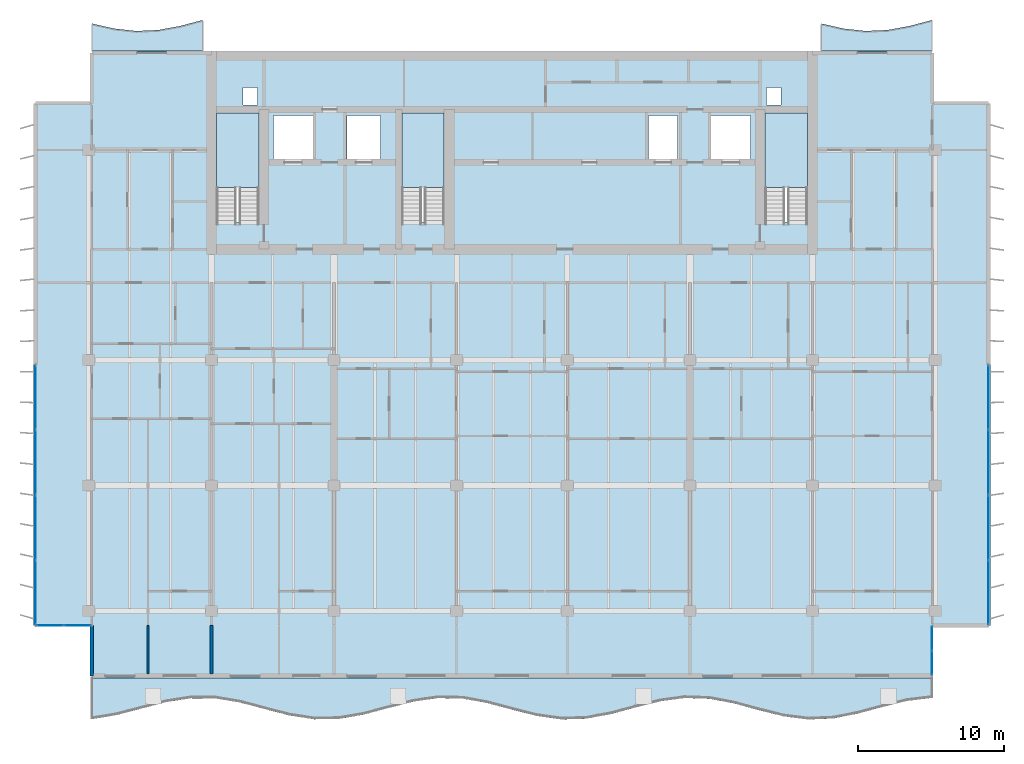
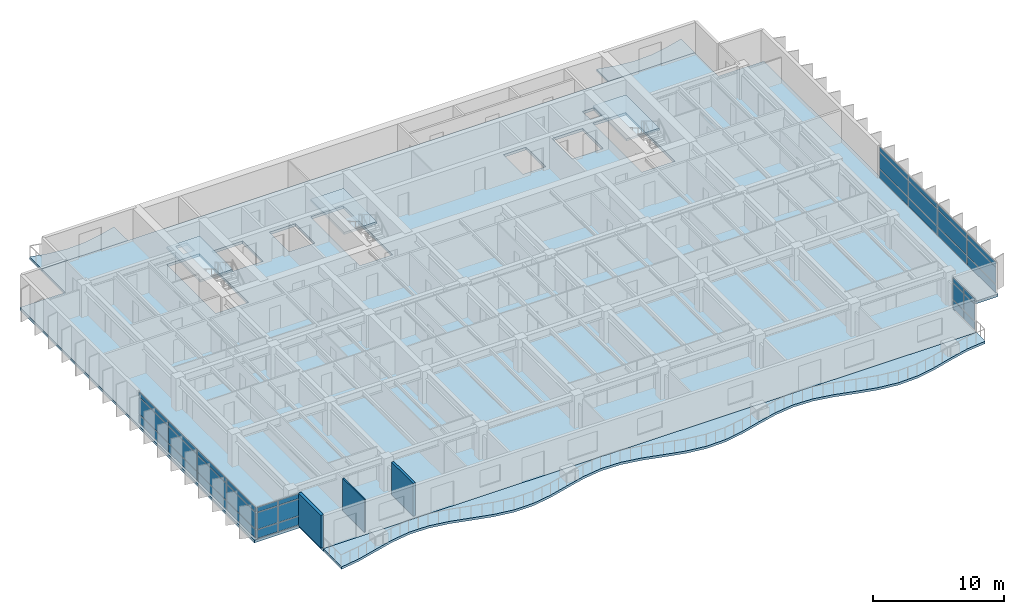
# One storey, part 7 of 17: 36 plates, 7 slabs, 3 walls, 7 elements without a shape of their own.
"""IFC4 building model written with IfcOpenShell, lengths in metres."""

from ifc_helpers import new_model, si_unit, direction, frame, frame_2d, origin, origin_2d, place, context, subcontext, project, spatial, polyline, rectangle, outline, extrude, material, layer, layer_set, type_object, element, aggregate, save


model = new_model("IFC4")

# Units and contexts
model_context = context("Model", 3, precision=1e-05, world=origin(), true_north=direction((0.0, 1.0)))
body_context = subcontext(model_context, "Body", "Model", "MODEL_VIEW")
ifc_project = project(units=[si_unit("LENGTHUNIT", "METRE"), si_unit("AREAUNIT", "SQUARE_METRE"), si_unit("VOLUMEUNIT", "CUBIC_METRE"), si_unit("PLANEANGLEUNIT", "RADIAN"), si_unit("MASSUNIT", "GRAM", prefix="KILO")], contexts=[model_context])

# Site, building, storey
site_placement = place(None, origin())
site = spatial("IfcSite", under=ifc_project, at=site_placement, CompositionType="ELEMENT")
building_placement = place(site_placement, origin())
building = spatial("IfcBuilding", under=site, at=building_placement, Name="Caelmar Bay Residences", CompositionType="ELEMENT")
storey_placement = place(building_placement, frame((0.0, 0.0, 201.60009765625)))
storey = spatial("IfcBuildingStorey", under=building, at=storey_placement, Name="L56", CompositionType="ELEMENT", Elevation=201.60009765625)

# Curtain wall, plates
ifc_material_1 = material(Name="Anodised bronze aluminium 6063-T6 and laminated glass", Category="aluminium")
ifc_layer_1 = layer(ifc_material_1, 0.179931640625)
ifc_layer_set_1 = layer_set([ifc_layer_1], Name="Anodised bronze aluminium 6063-T6 and laminated glass")
curtain_wall_type_1 = type_object("IfcCurtainWallType", Name="CW6-NTC", PredefinedType="NOTDEFINED", material=ifc_layer_set_1)
curtain_wall_1_placement = place(storey_placement, origin())
curtain_wall_1 = element("IfcCurtainWall", 1, at=curtain_wall_1_placement, inside=storey, type_object=curtain_wall_type_1, Name="CW6 curtain wall L56", PredefinedType="NOTDEFINED")
ifc_material_2 = material(Name="Bronze-tinted laminated low-E hurricane glass 28 mm", Category="glass")
ifc_layer_2 = layer(ifc_material_2, 0.028076171875)
ifc_layer_set_2 = layer_set([ifc_layer_2], Name="Bronze-tinted laminated low-E hurricane glass 28 mm")
plate_type = type_object("IfcPlateType", Name="CWP-GLZ28", PredefinedType="CURTAIN_PANEL", material=ifc_layer_set_2)
plate_1_placement = place(storey_placement, frame((7.232421875, 11.199951171875, 0.080078125), z_axis=(0.0, 0.0, 1.0), x_axis=(1.0, 0.0, 0.0)))
plate_1 = element("IfcPlate", 2, at=plate_1_placement, type_object=plate_type, Name="CW6 panel 1.1", PredefinedType="CURTAIN_PANEL", context=body_context, shape_type="SweptSolid", body=[
    extrude(rectangle(XDim=1.804931640625, YDim=0.028076171875, at=origin_2d()), origin(), (0.0, 0.0, 1.0), 0.780029296875),
])
plate_2_placement = place(storey_placement, frame((7.232421875, 11.199951171875, 0.93994140625), z_axis=(0.0, 0.0, 1.0), x_axis=(1.0, 0.0, 0.0)))
plate_2 = element("IfcPlate", 3, at=plate_2_placement, type_object=plate_type, Name="CW6 panel 1.2", PredefinedType="CURTAIN_PANEL", context=body_context, shape_type="SweptSolid", body=[
    extrude(rectangle(XDim=1.804931640625, YDim=0.028076171875, at=origin_2d()), origin(), (0.0, 0.0, 1.0), 1.52001953125),
])
plate_3_placement = place(storey_placement, frame((7.232421875, 11.199951171875, 2.5400390625), z_axis=(0.0, 0.0, 1.0), x_axis=(1.0, 0.0, 0.0)))
plate_3 = element("IfcPlate", 4, at=plate_3_placement, type_object=plate_type, Name="CW6 panel 1.3", PredefinedType="CURTAIN_PANEL", context=body_context, shape_type="SweptSolid", body=[
    extrude(rectangle(XDim=1.804931640625, YDim=0.028076171875, at=origin_2d()), origin(), (0.0, 0.0, 1.0), 0.429931640625),
])
plate_4_placement = place(storey_placement, frame((9.117431640625, 11.199951171875, 0.080078125), z_axis=(0.0, 0.0, 1.0), x_axis=(1.0, 0.0, 0.0)))
plate_4 = element("IfcPlate", 5, at=plate_4_placement, type_object=plate_type, Name="CW6 panel 2.1", PredefinedType="CURTAIN_PANEL", context=body_context, shape_type="SweptSolid", body=[
    extrude(rectangle(XDim=1.804931640625, YDim=0.028076171875, at=origin_2d()), origin(), (0.0, 0.0, 1.0), 0.780029296875),
])
plate_5_placement = place(storey_placement, frame((9.117431640625, 11.199951171875, 0.93994140625), z_axis=(0.0, 0.0, 1.0), x_axis=(1.0, 0.0, 0.0)))
plate_5 = element("IfcPlate", 6, at=plate_5_placement, type_object=plate_type, Name="CW6 panel 2.2", PredefinedType="CURTAIN_PANEL", context=body_context, shape_type="SweptSolid", body=[
    extrude(rectangle(XDim=1.804931640625, YDim=0.028076171875, at=origin_2d()), origin(), (0.0, 0.0, 1.0), 1.52001953125),
])
plate_6_placement = place(storey_placement, frame((9.117431640625, 11.199951171875, 2.5400390625), z_axis=(0.0, 0.0, 1.0), x_axis=(1.0, 0.0, 0.0)))
plate_6 = element("IfcPlate", 7, at=plate_6_placement, type_object=plate_type, Name="CW6 panel 2.3", PredefinedType="CURTAIN_PANEL", context=body_context, shape_type="SweptSolid", body=[
    extrude(rectangle(XDim=1.804931640625, YDim=0.028076171875, at=origin_2d()), origin(), (0.0, 0.0, 1.0), 0.429931640625),
])
aggregate(curtain_wall_1, [plate_1, plate_2, plate_3, plate_4, plate_5, plate_6])

curtain_wall_2_placement = place(storey_placement, origin())
curtain_wall_2 = element("IfcCurtainWall", 8, at=curtain_wall_2_placement, inside=storey, type_object=curtain_wall_type_1, Name="CW6 curtain wall L56", PredefinedType="NOTDEFINED")
plate_7_placement = place(storey_placement, frame((67.699951171875, 8.632568359375, 0.080078125), z_axis=(0.0, 0.0, 1.0), x_axis=(0.0, 1.0, 0.0)))
plate_7 = element("IfcPlate", 9, at=plate_7_placement, type_object=plate_type, Name="CW6 panel 1.1", PredefinedType="CURTAIN_PANEL", context=body_context, shape_type="SweptSolid", body=[
    extrude(rectangle(XDim=1.60498046875, YDim=0.028076171875, at=origin_2d()), origin(), (0.0, 0.0, 1.0), 0.780029296875),
])
plate_8_placement = place(storey_placement, frame((67.699951171875, 8.632568359375, 0.93994140625), z_axis=(0.0, 0.0, 1.0), x_axis=(0.0, 1.0, 0.0)))
plate_8 = element("IfcPlate", 10, at=plate_8_placement, type_object=plate_type, Name="CW6 panel 1.2", PredefinedType="CURTAIN_PANEL", context=body_context, shape_type="SweptSolid", body=[
    extrude(rectangle(XDim=1.60498046875, YDim=0.028076171875, at=origin_2d()), origin(), (0.0, 0.0, 1.0), 1.52001953125),
])
plate_9_placement = place(storey_placement, frame((67.699951171875, 8.632568359375, 2.5400390625), z_axis=(0.0, 0.0, 1.0), x_axis=(0.0, 1.0, 0.0)))
plate_9 = element("IfcPlate", 11, at=plate_9_placement, type_object=plate_type, Name="CW6 panel 1.3", PredefinedType="CURTAIN_PANEL", context=body_context, shape_type="SweptSolid", body=[
    extrude(rectangle(XDim=1.60498046875, YDim=0.028076171875, at=origin_2d()), origin(), (0.0, 0.0, 1.0), 0.429931640625),
])
plate_10_placement = place(storey_placement, frame((67.699951171875, 10.3173828125, 0.080078125), z_axis=(0.0, 0.0, 1.0), x_axis=(0.0, 1.0, 0.0)))
plate_10 = element("IfcPlate", 12, at=plate_10_placement, type_object=plate_type, Name="CW6 panel 2.1", PredefinedType="CURTAIN_PANEL", context=body_context, shape_type="SweptSolid", body=[
    extrude(rectangle(XDim=1.60498046875, YDim=0.028076171875, at=origin_2d()), origin(), (0.0, 0.0, 1.0), 0.780029296875),
])
plate_11_placement = place(storey_placement, frame((67.699951171875, 10.3173828125, 0.93994140625), z_axis=(0.0, 0.0, 1.0), x_axis=(0.0, 1.0, 0.0)))
plate_11 = element("IfcPlate", 13, at=plate_11_placement, type_object=plate_type, Name="CW6 panel 2.2", PredefinedType="CURTAIN_PANEL", context=body_context, shape_type="SweptSolid", body=[
    extrude(rectangle(XDim=1.60498046875, YDim=0.028076171875, at=origin_2d()), origin(), (0.0, 0.0, 1.0), 1.52001953125),
])
plate_12_placement = place(storey_placement, frame((67.699951171875, 10.3173828125, 2.5400390625), z_axis=(0.0, 0.0, 1.0), x_axis=(0.0, 1.0, 0.0)))
plate_12 = element("IfcPlate", 14, at=plate_12_placement, type_object=plate_type, Name="CW6 panel 2.3", PredefinedType="CURTAIN_PANEL", context=body_context, shape_type="SweptSolid", body=[
    extrude(rectangle(XDim=1.60498046875, YDim=0.028076171875, at=origin_2d()), origin(), (0.0, 0.0, 1.0), 0.429931640625),
])
aggregate(curtain_wall_2, [plate_7, plate_8, plate_9, plate_10, plate_11, plate_12])

ifc_layer_3 = layer(ifc_material_1, 0.179931640625)
ifc_layer_set_3 = layer_set([ifc_layer_3], Name="Anodised bronze aluminium 6063-T6 and laminated glass")
curtain_wall_type_2 = type_object("IfcCurtainWallType", Name="CW4-Z3", PredefinedType="NOTDEFINED", material=ifc_layer_set_3)
curtain_wall_3_placement = place(storey_placement, origin())
curtain_wall_3 = element("IfcCurtainWall", 15, at=curtain_wall_3_placement, inside=storey, type_object=curtain_wall_type_2, Name="CW4 curtain wall L56", PredefinedType="NOTDEFINED")
plate_13_placement = place(storey_placement, frame((6.25, 13.45751953125, 0.080078125), z_axis=(0.0, 0.0, 1.0), x_axis=(0.0, 1.0, 0.0)))
plate_13 = element("IfcPlate", 16, at=plate_13_placement, type_object=plate_type, Name="CW4 panel 1.1", PredefinedType="CURTAIN_PANEL", context=body_context, shape_type="SweptSolid", body=[
    extrude(rectangle(XDim=4.35498046875, YDim=0.028076171875, at=origin_2d()), origin(), (0.0, 0.0, 1.0), 0.780029296875),
])
plate_14_placement = place(storey_placement, frame((6.25, 13.45751953125, 0.93994140625), z_axis=(0.0, 0.0, 1.0), x_axis=(0.0, 1.0, 0.0)))
plate_14 = element("IfcPlate", 17, at=plate_14_placement, type_object=plate_type, Name="CW4 panel 1.2", PredefinedType="CURTAIN_PANEL", context=body_context, shape_type="SweptSolid", body=[
    extrude(rectangle(XDim=4.35498046875, YDim=0.028076171875, at=origin_2d()), origin(), (0.0, 0.0, 1.0), 1.52001953125),
])
plate_15_placement = place(storey_placement, frame((6.25, 13.45751953125, 2.5400390625), z_axis=(0.0, 0.0, 1.0), x_axis=(0.0, 1.0, 0.0)))
plate_15 = element("IfcPlate", 18, at=plate_15_placement, type_object=plate_type, Name="CW4 panel 1.3", PredefinedType="CURTAIN_PANEL", context=body_context, shape_type="SweptSolid", body=[
    extrude(rectangle(XDim=4.35498046875, YDim=0.028076171875, at=origin_2d()), origin(), (0.0, 0.0, 1.0), 0.429931640625),
])
plate_16_placement = place(storey_placement, frame((6.25, 17.91259765625, 0.080078125), z_axis=(0.0, 0.0, 1.0), x_axis=(0.0, 1.0, 0.0)))
plate_16 = element("IfcPlate", 19, at=plate_16_placement, type_object=plate_type, Name="CW4 panel 2.1", PredefinedType="CURTAIN_PANEL", context=body_context, shape_type="SweptSolid", body=[
    extrude(rectangle(XDim=4.39501953125, YDim=0.028076171875, at=origin_2d()), origin(), (0.0, 0.0, 1.0), 0.780029296875),
])
plate_17_placement = place(storey_placement, frame((6.25, 17.91259765625, 0.93994140625), z_axis=(0.0, 0.0, 1.0), x_axis=(0.0, 1.0, 0.0)))
plate_17 = element("IfcPlate", 20, at=plate_17_placement, type_object=plate_type, Name="CW4 panel 2.2", PredefinedType="CURTAIN_PANEL", context=body_context, shape_type="SweptSolid", body=[
    extrude(rectangle(XDim=4.39501953125, YDim=0.028076171875, at=origin_2d()), origin(), (0.0, 0.0, 1.0), 1.52001953125),
])
plate_18_placement = place(storey_placement, frame((6.25, 17.91259765625, 2.5400390625), z_axis=(0.0, 0.0, 1.0), x_axis=(0.0, 1.0, 0.0)))
plate_18 = element("IfcPlate", 21, at=plate_18_placement, type_object=plate_type, Name="CW4 panel 2.3", PredefinedType="CURTAIN_PANEL", context=body_context, shape_type="SweptSolid", body=[
    extrude(rectangle(XDim=4.39501953125, YDim=0.028076171875, at=origin_2d()), origin(), (0.0, 0.0, 1.0), 0.429931640625),
])
plate_19_placement = place(storey_placement, frame((6.25, 22.387451171875, 0.080078125), z_axis=(0.0, 0.0, 1.0), x_axis=(0.0, 1.0, 0.0)))
plate_19 = element("IfcPlate", 22, at=plate_19_placement, type_object=plate_type, Name="CW4 panel 3.1", PredefinedType="CURTAIN_PANEL", context=body_context, shape_type="SweptSolid", body=[
    extrude(rectangle(XDim=4.39501953125, YDim=0.028076171875, at=origin_2d()), origin(), (0.0, 0.0, 1.0), 0.780029296875),
])
plate_20_placement = place(storey_placement, frame((6.25, 22.387451171875, 0.93994140625), z_axis=(0.0, 0.0, 1.0), x_axis=(0.0, 1.0, 0.0)))
plate_20 = element("IfcPlate", 23, at=plate_20_placement, type_object=plate_type, Name="CW4 panel 3.2", PredefinedType="CURTAIN_PANEL", context=body_context, shape_type="SweptSolid", body=[
    extrude(rectangle(XDim=4.39501953125, YDim=0.028076171875, at=origin_2d()), origin(), (0.0, 0.0, 1.0), 1.52001953125),
])
plate_21_placement = place(storey_placement, frame((6.25, 22.387451171875, 2.5400390625), z_axis=(0.0, 0.0, 1.0), x_axis=(0.0, 1.0, 0.0)))
plate_21 = element("IfcPlate", 24, at=plate_21_placement, type_object=plate_type, Name="CW4 panel 3.3", PredefinedType="CURTAIN_PANEL", context=body_context, shape_type="SweptSolid", body=[
    extrude(rectangle(XDim=4.39501953125, YDim=0.028076171875, at=origin_2d()), origin(), (0.0, 0.0, 1.0), 0.429931640625),
])
plate_22_placement = place(storey_placement, frame((6.25, 26.842529296875, 0.080078125), z_axis=(0.0, 0.0, 1.0), x_axis=(0.0, 1.0, 0.0)))
plate_22 = element("IfcPlate", 25, at=plate_22_placement, type_object=plate_type, Name="CW4 panel 4.1", PredefinedType="CURTAIN_PANEL", context=body_context, shape_type="SweptSolid", body=[
    extrude(rectangle(XDim=4.35498046875, YDim=0.028076171875, at=origin_2d()), origin(), (0.0, 0.0, 1.0), 0.780029296875),
])
plate_23_placement = place(storey_placement, frame((6.25, 26.842529296875, 0.93994140625), z_axis=(0.0, 0.0, 1.0), x_axis=(0.0, 1.0, 0.0)))
plate_23 = element("IfcPlate", 26, at=plate_23_placement, type_object=plate_type, Name="CW4 panel 4.2", PredefinedType="CURTAIN_PANEL", context=body_context, shape_type="SweptSolid", body=[
    extrude(rectangle(XDim=4.35498046875, YDim=0.028076171875, at=origin_2d()), origin(), (0.0, 0.0, 1.0), 1.52001953125),
])
plate_24_placement = place(storey_placement, frame((6.25, 26.842529296875, 2.5400390625), z_axis=(0.0, 0.0, 1.0), x_axis=(0.0, 1.0, 0.0)))
plate_24 = element("IfcPlate", 27, at=plate_24_placement, type_object=plate_type, Name="CW4 panel 4.3", PredefinedType="CURTAIN_PANEL", context=body_context, shape_type="SweptSolid", body=[
    extrude(rectangle(XDim=4.35498046875, YDim=0.028076171875, at=origin_2d()), origin(), (0.0, 0.0, 1.0), 0.429931640625),
])
aggregate(curtain_wall_3, [plate_13, plate_14, plate_15, plate_16, plate_17, plate_18, plate_19, plate_20, plate_21, plate_22, plate_23, plate_24])

curtain_wall_4_placement = place(storey_placement, origin())
curtain_wall_4 = element("IfcCurtainWall", 28, at=curtain_wall_4_placement, inside=storey, type_object=curtain_wall_type_2, Name="CW4 curtain wall L56", PredefinedType="NOTDEFINED")
plate_25_placement = place(storey_placement, frame((71.550048828125, 26.842529296875, 0.080078125), z_axis=(0.0, 0.0, 1.0), x_axis=(0.0, -1.0, 0.0)))
plate_25 = element("IfcPlate", 29, at=plate_25_placement, type_object=plate_type, Name="CW4 panel 1.1", PredefinedType="CURTAIN_PANEL", context=body_context, shape_type="SweptSolid", body=[
    extrude(rectangle(XDim=4.35498046875, YDim=0.028076171875, at=origin_2d()), origin(), (0.0, 0.0, 1.0), 0.780029296875),
])
plate_26_placement = place(storey_placement, frame((71.550048828125, 26.842529296875, 0.93994140625), z_axis=(0.0, 0.0, 1.0), x_axis=(0.0, -1.0, 0.0)))
plate_26 = element("IfcPlate", 30, at=plate_26_placement, type_object=plate_type, Name="CW4 panel 1.2", PredefinedType="CURTAIN_PANEL", context=body_context, shape_type="SweptSolid", body=[
    extrude(rectangle(XDim=4.35498046875, YDim=0.028076171875, at=origin_2d()), origin(), (0.0, 0.0, 1.0), 1.52001953125),
])
plate_27_placement = place(storey_placement, frame((71.550048828125, 26.842529296875, 2.5400390625), z_axis=(0.0, 0.0, 1.0), x_axis=(0.0, -1.0, 0.0)))
plate_27 = element("IfcPlate", 31, at=plate_27_placement, type_object=plate_type, Name="CW4 panel 1.3", PredefinedType="CURTAIN_PANEL", context=body_context, shape_type="SweptSolid", body=[
    extrude(rectangle(XDim=4.35498046875, YDim=0.028076171875, at=origin_2d()), origin(), (0.0, 0.0, 1.0), 0.429931640625),
])
plate_28_placement = place(storey_placement, frame((71.550048828125, 22.387451171875, 0.080078125), z_axis=(0.0, 0.0, 1.0), x_axis=(0.0, -1.0, 0.0)))
plate_28 = element("IfcPlate", 32, at=plate_28_placement, type_object=plate_type, Name="CW4 panel 2.1", PredefinedType="CURTAIN_PANEL", context=body_context, shape_type="SweptSolid", body=[
    extrude(rectangle(XDim=4.39501953125, YDim=0.028076171875, at=origin_2d()), origin(), (0.0, 0.0, 1.0), 0.780029296875),
])
plate_29_placement = place(storey_placement, frame((71.550048828125, 22.387451171875, 0.93994140625), z_axis=(0.0, 0.0, 1.0), x_axis=(0.0, -1.0, 0.0)))
plate_29 = element("IfcPlate", 33, at=plate_29_placement, type_object=plate_type, Name="CW4 panel 2.2", PredefinedType="CURTAIN_PANEL", context=body_context, shape_type="SweptSolid", body=[
    extrude(rectangle(XDim=4.39501953125, YDim=0.028076171875, at=origin_2d()), origin(), (0.0, 0.0, 1.0), 1.52001953125),
])
plate_30_placement = place(storey_placement, frame((71.550048828125, 22.387451171875, 2.5400390625), z_axis=(0.0, 0.0, 1.0), x_axis=(0.0, -1.0, 0.0)))
plate_30 = element("IfcPlate", 34, at=plate_30_placement, type_object=plate_type, Name="CW4 panel 2.3", PredefinedType="CURTAIN_PANEL", context=body_context, shape_type="SweptSolid", body=[
    extrude(rectangle(XDim=4.39501953125, YDim=0.028076171875, at=origin_2d()), origin(), (0.0, 0.0, 1.0), 0.429931640625),
])
plate_31_placement = place(storey_placement, frame((71.550048828125, 17.91259765625, 0.080078125), z_axis=(0.0, 0.0, 1.0), x_axis=(0.0, -1.0, 0.0)))
plate_31 = element("IfcPlate", 35, at=plate_31_placement, type_object=plate_type, Name="CW4 panel 3.1", PredefinedType="CURTAIN_PANEL", context=body_context, shape_type="SweptSolid", body=[
    extrude(rectangle(XDim=4.39501953125, YDim=0.028076171875, at=origin_2d()), origin(), (0.0, 0.0, 1.0), 0.780029296875),
])
plate_32_placement = place(storey_placement, frame((71.550048828125, 17.91259765625, 0.93994140625), z_axis=(0.0, 0.0, 1.0), x_axis=(0.0, -1.0, 0.0)))
plate_32 = element("IfcPlate", 36, at=plate_32_placement, type_object=plate_type, Name="CW4 panel 3.2", PredefinedType="CURTAIN_PANEL", context=body_context, shape_type="SweptSolid", body=[
    extrude(rectangle(XDim=4.39501953125, YDim=0.028076171875, at=origin_2d()), origin(), (0.0, 0.0, 1.0), 1.52001953125),
])
plate_33_placement = place(storey_placement, frame((71.550048828125, 17.91259765625, 2.5400390625), z_axis=(0.0, 0.0, 1.0), x_axis=(0.0, -1.0, 0.0)))
plate_33 = element("IfcPlate", 37, at=plate_33_placement, type_object=plate_type, Name="CW4 panel 3.3", PredefinedType="CURTAIN_PANEL", context=body_context, shape_type="SweptSolid", body=[
    extrude(rectangle(XDim=4.39501953125, YDim=0.028076171875, at=origin_2d()), origin(), (0.0, 0.0, 1.0), 0.429931640625),
])
plate_34_placement = place(storey_placement, frame((71.550048828125, 13.45751953125, 0.080078125), z_axis=(0.0, 0.0, 1.0), x_axis=(0.0, -1.0, 0.0)))
plate_34 = element("IfcPlate", 38, at=plate_34_placement, type_object=plate_type, Name="CW4 panel 4.1", PredefinedType="CURTAIN_PANEL", context=body_context, shape_type="SweptSolid", body=[
    extrude(rectangle(XDim=4.35498046875, YDim=0.028076171875, at=origin_2d()), origin(), (0.0, 0.0, 1.0), 0.780029296875),
])
plate_35_placement = place(storey_placement, frame((71.550048828125, 13.45751953125, 0.93994140625), z_axis=(0.0, 0.0, 1.0), x_axis=(0.0, -1.0, 0.0)))
plate_35 = element("IfcPlate", 39, at=plate_35_placement, type_object=plate_type, Name="CW4 panel 4.2", PredefinedType="CURTAIN_PANEL", context=body_context, shape_type="SweptSolid", body=[
    extrude(rectangle(XDim=4.35498046875, YDim=0.028076171875, at=origin_2d()), origin(), (0.0, 0.0, 1.0), 1.52001953125),
])
plate_36_placement = place(storey_placement, frame((71.550048828125, 13.45751953125, 2.5400390625), z_axis=(0.0, 0.0, 1.0), x_axis=(0.0, -1.0, 0.0)))
plate_36 = element("IfcPlate", 40, at=plate_36_placement, type_object=plate_type, Name="CW4 panel 4.3", PredefinedType="CURTAIN_PANEL", context=body_context, shape_type="SweptSolid", body=[
    extrude(rectangle(XDim=4.35498046875, YDim=0.028076171875, at=origin_2d()), origin(), (0.0, 0.0, 1.0), 0.429931640625),
])
aggregate(curtain_wall_4, [plate_25, plate_26, plate_27, plate_28, plate_29, plate_30, plate_31, plate_32, plate_33, plate_34, plate_35, plate_36])

# Slabs
ifc_material_3 = material(Name="Concrete f'c 40 MPa (6,000 psi)", Category="concrete")
ifc_layer_4 = layer(ifc_material_3, 0.219970703125)
ifc_layer_set_4 = layer_set([ifc_layer_4], Name="Concrete f'c 40 MPa (6,000 psi)")
slab_type_1 = type_object("IfcSlabType", Name="SLB-BAL-220", PredefinedType="FLOOR", material=ifc_layer_set_4)
slab_1_placement = place(storey_placement, frame((0.0, 0.0, -0.22021484375)))
element("IfcSlab", 41, at=slab_1_placement, inside=storey, type_object=slab_type_1, Name="L56 Sinusoidal Tree-Balcony Slab south", PredefinedType="FLOOR", context=body_context, shape_type="SweptSolid", body=[
    extrude(outline(polyline([(10.10009765625, 4.78662109375), (11.794189453125, 5.0625), (13.48828125, 5.5078125), (15.182373046875, 5.950439453125), (16.87646484375, 6.218017578125), (18.570556640625, 6.206787109375), (20.2646484375, 5.92138671875), (21.958740234375, 5.472412109375), (23.65283203125, 5.033935546875), (25.34716796875, 4.776611328125), (27.041259765625, 4.7998046875), (28.7353515625, 5.09521484375), (30.429443359375, 5.547607421875), (32.12353515625, 5.9814453125), (33.817626953125, 6.228515625), (35.51171875, 6.192626953125), (37.205810546875, 5.88818359375), (38.89990234375, 5.432861328125), (40.593994140625, 5.003662109375), (42.2880859375, 4.76708984375), (43.982421875, 4.815185546875), (45.676513671875, 5.12890625), (47.37060546875, 5.5869140625), (49.064697265625, 6.010986328125), (50.7587890625, 6.23681640625), (52.452880859375, 6.176513671875), (54.147216796875, 5.853515625), (55.84130859375, 5.393310546875), (57.535400390625, 4.974609375), (59.2294921875, 4.759765625), (60.923583984375, 4.832275390625), (62.61767578125, 5.163818359375), (64.311767578125, 5.626220703125), (66.005859375, 6.039306640625), (67.699951171875, 6.2431640625), (67.699951171875, 7.60009765625), (10.10009765625, 7.60009765625), (10.10009765625, 4.78662109375)])), origin(), (0.0, 0.0, 1.0), 0.22021484375),
])
slab_2_placement = place(storey_placement, frame((0.0, 0.0, -0.22021484375)))
element("IfcSlab", 42, at=slab_2_placement, inside=storey, type_object=slab_type_1, Name="L56 Sinusoidal Tree-Balcony Slab north_west", PredefinedType="FLOOR", context=body_context, shape_type="SweptSolid", body=[
    extrude(outline(polyline([(10.10009765625, 50.60009765625), (17.699951171875, 50.60009765625), (17.699951171875, 52.711181640625), (16.179931640625, 52.3056640625), (14.659912109375, 52.0244140625), (13.139892578125, 51.955322265625), (11.6201171875, 52.12060546875), (10.10009765625, 52.46826171875), (10.10009765625, 50.60009765625)])), origin(), (0.0, 0.0, 1.0), 0.22021484375),
])
slab_3_placement = place(storey_placement, frame((0.0, 0.0, -0.22021484375)))
element("IfcSlab", 43, at=slab_3_placement, inside=storey, type_object=slab_type_1, Name="L56 Sinusoidal Tree-Balcony Slab north_east", PredefinedType="FLOOR", context=body_context, shape_type="SweptSolid", body=[
    extrude(outline(polyline([(60.10009765625, 50.60009765625), (67.699951171875, 50.60009765625), (67.699951171875, 52.711181640625), (66.179931640625, 52.3056640625), (64.659912109375, 52.0244140625), (63.139892578125, 51.955322265625), (61.6201171875, 52.12060546875), (60.10009765625, 52.46826171875), (60.10009765625, 50.60009765625)])), origin(), (0.0, 0.0, 1.0), 0.22021484375),
])

# Stair, slab
stair_type = type_object("IfcStairType", Name="ST-TYP-165", PredefinedType="HALF_TURN_STAIR", material=ifc_material_3)
stair_1_placement = place(storey_placement, origin())
stair_1 = element("IfcStair", 44, at=stair_1_placement, inside=storey, type_object=stair_type, Name="L56 West Smokeproof Exit Stair ST1", PredefinedType="HALF_TURN_STAIR")
ifc_layer_5 = layer(ifc_material_3, 0.199951171875)
ifc_layer_set_5 = layer_set([ifc_layer_5], Name="Concrete f'c 40 MPa (6,000 psi)")
slab_type_2 = type_object("IfcSlabType", Name="SLB-LND-200", PredefinedType="LANDING", material=ifc_layer_set_5)
slab_4_placement = place(storey_placement, frame((0.0, 0.0, 1.449951171875)))
slab_4 = element("IfcSlab", 45, at=slab_4_placement, type_object=slab_type_2, Name="ST1 landing 1", PredefinedType="LANDING", context=body_context, shape_type="SweptSolid", body=[
    extrude(outline(polyline([(21.550048828125, 41.219970703125), (21.550048828125, 46.35009765625), (18.64990234375, 46.35009765625), (18.64990234375, 41.219970703125), (21.550048828125, 41.219970703125)])), origin(), (0.0, 0.0, 1.0), 0.199951171875),
])
aggregate(stair_1, [slab_4])

stair_2_placement = place(storey_placement, origin())
stair_2 = element("IfcStair", 46, at=stair_2_placement, inside=storey, type_object=stair_type, Name="L56 East Smokeproof Exit Stair ST2", PredefinedType="HALF_TURN_STAIR")
slab_5_placement = place(storey_placement, frame((0.0, 0.0, 1.449951171875)))
slab_5 = element("IfcSlab", 47, at=slab_5_placement, type_object=slab_type_2, Name="ST2 landing 1", PredefinedType="LANDING", context=body_context, shape_type="SweptSolid", body=[
    extrude(outline(polyline([(59.14990234375, 41.219970703125), (59.14990234375, 46.35009765625), (56.25, 46.35009765625), (56.25, 41.219970703125), (59.14990234375, 41.219970703125)])), origin(), (0.0, 0.0, 1.0), 0.199951171875),
])
aggregate(stair_2, [slab_5])

stair_3_placement = place(storey_placement, origin())
stair_3 = element("IfcStair", 48, at=stair_3_placement, inside=storey, type_object=stair_type, Name="L56 Central Smokeproof Exit Stair ST3", PredefinedType="HALF_TURN_STAIR")
slab_6_placement = place(storey_placement, frame((0.0, 0.0, 1.449951171875)))
slab_6 = element("IfcSlab", 49, at=slab_6_placement, type_object=slab_type_2, Name="ST3 landing 1", PredefinedType="LANDING", context=body_context, shape_type="SweptSolid", body=[
    extrude(outline(polyline([(34.25, 41.219970703125), (34.25, 46.35009765625), (31.35009765625, 46.35009765625), (31.35009765625, 41.219970703125), (34.25, 41.219970703125)])), origin(), (0.0, 0.0, 1.0), 0.199951171875),
])
aggregate(stair_3, [slab_6])

# Slab
ifc_layer_6 = layer(ifc_material_3, 0.25)
ifc_layer_set_6 = layer_set([ifc_layer_6], Name="Concrete f'c 40 MPa (6,000 psi)")
slab_type_3 = type_object("IfcSlabType", Name="SLB-RES-250", PredefinedType="FLOOR", material=ifc_layer_set_6)
slab_7_placement = place(storey_placement, frame((0.0, 0.0, -0.25)))
element("IfcSlab", 50, at=slab_7_placement, inside=storey, type_object=slab_type_3, Name="L56 Structural Floor Slab", PredefinedType="FLOOR", context=body_context, shape_type="SweptSolid", body=[
    extrude(outline(polyline([(10.10009765625, 7.60009765625), (67.699951171875, 7.60009765625), (67.699951171875, 11.199951171875), (71.699951171875, 11.199951171875), (71.699951171875, 47.0), (67.699951171875, 47.0), (67.699951171875, 50.60009765625), (10.10009765625, 50.60009765625), (10.10009765625, 47.0), (6.10009765625, 47.0), (6.10009765625, 11.199951171875), (10.10009765625, 11.199951171875), (10.10009765625, 7.60009765625)]), holes=[polyline([(18.64990234375, 38.85009765625), (21.550048828125, 38.85009765625), (21.550048828125, 46.35009765625), (18.64990234375, 46.35009765625), (18.64990234375, 38.85009765625)]), polyline([(56.25, 38.85009765625), (59.14990234375, 38.85009765625), (59.14990234375, 46.35009765625), (56.25, 46.35009765625), (56.25, 38.85009765625)]), polyline([(31.35009765625, 38.85009765625), (34.25, 38.85009765625), (34.25, 46.35009765625), (31.35009765625, 46.35009765625), (31.35009765625, 38.85009765625)]), polyline([(22.550048828125, 43.050048828125), (25.25, 43.050048828125), (25.25, 46.14990234375), (22.550048828125, 46.14990234375), (22.550048828125, 43.050048828125)]), polyline([(52.550048828125, 43.050048828125), (55.25, 43.050048828125), (55.25, 46.14990234375), (52.550048828125, 46.14990234375), (52.550048828125, 43.050048828125)]), polyline([(48.25, 43.14990234375), (50.25, 43.14990234375), (50.25, 46.14990234375), (48.25, 46.14990234375), (48.25, 43.14990234375)]), polyline([(27.60009765625, 43.14990234375), (29.89990234375, 43.14990234375), (29.89990234375, 46.14990234375), (27.60009765625, 46.14990234375), (27.60009765625, 43.14990234375)]), polyline([(20.449951171875, 46.89990234375), (21.449951171875, 46.89990234375), (21.449951171875, 48.10009765625), (20.449951171875, 48.10009765625), (20.449951171875, 46.89990234375)]), polyline([(56.35009765625, 46.89990234375), (57.35009765625, 46.89990234375), (57.35009765625, 48.10009765625), (56.35009765625, 48.10009765625), (56.35009765625, 46.89990234375)])]), origin(), (0.0, 0.0, 1.0), 0.25),
])

# Walls
ifc_material_4 = material(Name="Precast concrete f'c 40 MPa (6,000 psi)", Category="concrete")
ifc_layer_7 = layer(ifc_material_4, 0.25)
ifc_layer_set_7 = layer_set([ifc_layer_7], Name="Precast concrete f'c 40 MPa (6,000 psi)")
wall_type_1 = type_object("IfcWallType", Name="W-EXT-250", PredefinedType="ELEMENTEDWALL", material=ifc_layer_set_7)
wall_1_placement = place(storey_placement, frame((10.10009765625, 11.199951171875, 0.0), z_axis=(0.0, 0.0, 1.0), x_axis=(0.0, -1.0, 0.0)))
element("IfcWall", 51, at=wall_1_placement, inside=storey, type_object=wall_type_1, Name="L56 SW Notch Return Wall", PredefinedType="ELEMENTEDWALL", context=body_context, shape_type="SweptSolid", body=[
    extrude(rectangle(XDim=3.449951171875, YDim=0.25, at=frame_2d((1.72509765625, 0.0))), origin(), (0.0, 0.0, 1.0), 3.0498046875),
])
ifc_material_5 = material(Name="Acoustic metal-stud gypsum partition 120 mm")
ifc_layer_8 = layer(ifc_material_5, 0.1201171875)
ifc_layer_set_8 = layer_set([ifc_layer_8], Name="Acoustic metal-stud gypsum partition 120 mm")
wall_type_2 = type_object("IfcWallType", Name="W-PRT-120", PredefinedType="PARTITIONING", material=ifc_layer_set_8)
wall_2_placement = place(storey_placement, frame((13.9541015625, 7.89501953125, 0.0), z_axis=(0.0, 0.0, 1.0), x_axis=(0.0, 1.0, 0.0)))
element("IfcWall", 52, at=wall_2_placement, inside=storey, type_object=wall_type_2, Name="L56 Partition Wall V006", PredefinedType="PARTITIONING", context=body_context, shape_type="SweptSolid", body=[
    extrude(rectangle(XDim=3.304931640625, YDim=0.1201171875, at=frame_2d((1.65234375, 0.0))), origin(), (0.0, 0.0, 1.0), 3.0498046875),
])
ifc_material_6 = material(Name="Acoustic twin-stud fire-rated inter-tenancy partition 200 mm")
ifc_layer_9 = layer(ifc_material_6, 0.199951171875)
ifc_layer_set_9 = layer_set([ifc_layer_9], Name="Acoustic twin-stud fire-rated inter-tenancy partition 200 mm")
wall_type_3 = type_object("IfcWallType", Name="W-PTY-200", PredefinedType="PARTITIONING", material=ifc_layer_set_9)
wall_3_placement = place(storey_placement, frame((18.300048828125, 7.89501953125, 0.0), z_axis=(0.0, 0.0, 1.0), x_axis=(0.0, 1.0, 0.0)))
element("IfcWall", 53, at=wall_3_placement, inside=storey, type_object=wall_type_3, Name="L56 Partition Wall V011", PredefinedType="PARTITIONING", context=body_context, shape_type="SweptSolid", body=[
    extrude(rectangle(XDim=3.304931640625, YDim=0.199951171875, at=frame_2d((1.65234375, 0.0))), origin(), (0.0, 0.0, 1.0), 3.0498046875),
])

save(model, "model.ifc")
